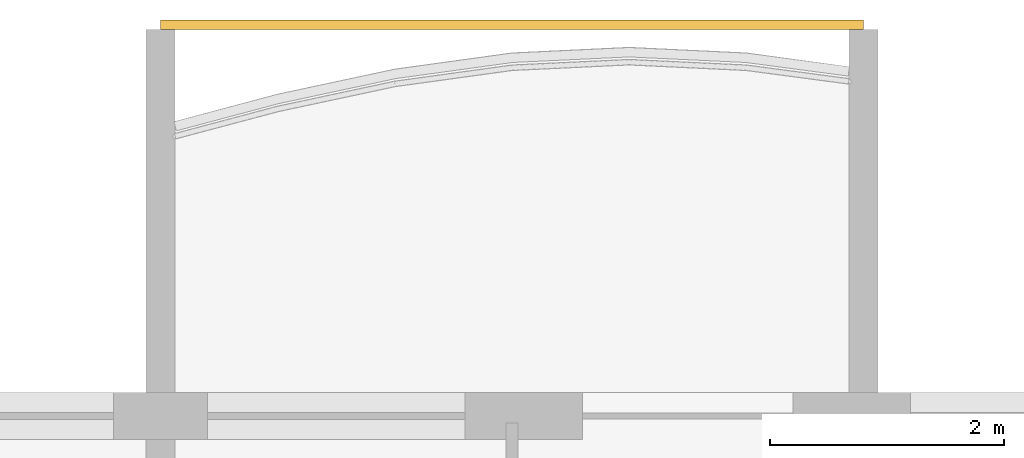
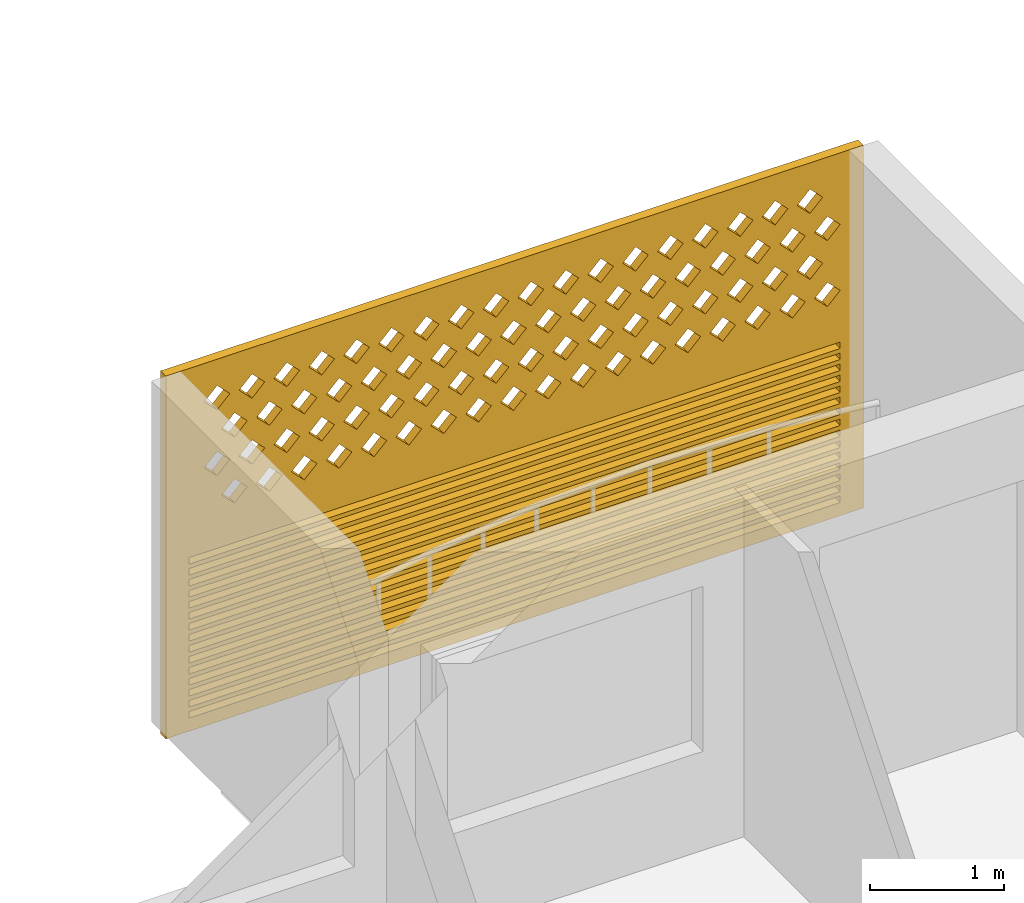
# One storey, part 23 of 27: 1 covering.
"""IFC4 building model written with IfcOpenShell, lengths in metres."""

from ifc_helpers import new_model, si_unit, direction, frame, origin, place, context, subcontext, project, spatial, polyline, outline, extrude, source, transform, mapped, material, material_profile, profile_set, type_object, element, save


model = new_model("IFC4")

# Units and contexts
model_context = context("Model", 3, precision=1e-05, world=origin(), true_north=direction((0.0, 1.0)))
body_context = subcontext(model_context, "Body", "Model", "MODEL_VIEW")
ifc_project = project(units=[si_unit("LENGTHUNIT", "METRE"), si_unit("AREAUNIT", "SQUARE_METRE"), si_unit("VOLUMEUNIT", "CUBIC_METRE"), si_unit("PLANEANGLEUNIT", "RADIAN"), si_unit("MASSUNIT", "GRAM", prefix="KILO")], contexts=[model_context])

# Site, building, storey
site_placement = place(None, origin())
site = spatial("IfcSite", under=ifc_project, at=site_placement, CompositionType="ELEMENT")
building_placement = place(site_placement, origin())
building = spatial("IfcBuilding", under=site, at=building_placement, Name="Poui Terraces", CompositionType="ELEMENT")
storey_placement = place(building_placement, frame((0.0, 0.0, 201.60009765625)))
storey = spatial("IfcBuildingStorey", under=building, at=storey_placement, Name="L56", CompositionType="ELEMENT", Elevation=201.60009765625)

# Covering
ifc_material = material(Name="Terracotta screen", Category="masonry")
ifc_material_profile = material_profile(ifc_material, outline(polyline([(-3.0, -1.64990234375), (3.0, -1.64990234375), (3.0, 1.64990234375), (-3.0, 1.64990234375), (-3.0, -1.64990234375)]), holes=[polyline([(-2.800048828125, 0.39990234375), (-2.68994140625, 0.2900390625), (-2.580078125, 0.39990234375), (-2.68994140625, 0.510009765625), (-2.800048828125, 0.39990234375)]), polyline([(-2.5, 0.39990234375), (-2.389892578125, 0.2900390625), (-2.280029296875, 0.39990234375), (-2.389892578125, 0.510009765625), (-2.5, 0.39990234375)]), polyline([(-2.199951171875, 0.39990234375), (-2.090087890625, 0.2900390625), (-1.97998046875, 0.39990234375), (-2.090087890625, 0.510009765625), (-2.199951171875, 0.39990234375)]), polyline([(-1.89990234375, 0.39990234375), (-1.7900390625, 0.2900390625), (-1.679931640625, 0.39990234375), (-1.7900390625, 0.510009765625), (-1.89990234375, 0.39990234375)]), polyline([(-1.60009765625, 0.39990234375), (-1.489990234375, 0.2900390625), (-1.3798828125, 0.39990234375), (-1.489990234375, 0.510009765625), (-1.60009765625, 0.39990234375)]), polyline([(-1.300048828125, 0.39990234375), (-1.18994140625, 0.2900390625), (-1.080078125, 0.39990234375), (-1.18994140625, 0.510009765625), (-1.300048828125, 0.39990234375)]), polyline([(-1.0, 0.39990234375), (-0.889892578125, 0.2900390625), (-0.780029296875, 0.39990234375), (-0.889892578125, 0.510009765625), (-1.0, 0.39990234375)]), polyline([(-0.699951171875, 0.39990234375), (-0.590087890625, 0.2900390625), (-0.47998046875, 0.39990234375), (-0.590087890625, 0.510009765625), (-0.699951171875, 0.39990234375)]), polyline([(-0.39990234375, 0.39990234375), (-0.2900390625, 0.2900390625), (-0.179931640625, 0.39990234375), (-0.2900390625, 0.510009765625), (-0.39990234375, 0.39990234375)]), polyline([(-0.10009765625, 0.39990234375), (0.010009765625, 0.2900390625), (0.1201171875, 0.39990234375), (0.010009765625, 0.510009765625), (-0.10009765625, 0.39990234375)]), polyline([(0.199951171875, 0.39990234375), (0.31005859375, 0.2900390625), (0.419921875, 0.39990234375), (0.31005859375, 0.510009765625), (0.199951171875, 0.39990234375)]), polyline([(0.5, 0.39990234375), (0.610107421875, 0.2900390625), (0.719970703125, 0.39990234375), (0.610107421875, 0.510009765625), (0.5, 0.39990234375)]), polyline([(0.800048828125, 0.39990234375), (0.909912109375, 0.2900390625), (1.02001953125, 0.39990234375), (0.909912109375, 0.510009765625), (0.800048828125, 0.39990234375)]), polyline([(1.10009765625, 0.39990234375), (1.2099609375, 0.2900390625), (1.320068359375, 0.39990234375), (1.2099609375, 0.510009765625), (1.10009765625, 0.39990234375)]), polyline([(1.39990234375, 0.39990234375), (1.510009765625, 0.2900390625), (1.6201171875, 0.39990234375), (1.510009765625, 0.510009765625), (1.39990234375, 0.39990234375)]), polyline([(1.699951171875, 0.39990234375), (1.81005859375, 0.2900390625), (1.919921875, 0.39990234375), (1.81005859375, 0.510009765625), (1.699951171875, 0.39990234375)]), polyline([(2.0, 0.39990234375), (2.110107421875, 0.2900390625), (2.219970703125, 0.39990234375), (2.110107421875, 0.510009765625), (2.0, 0.39990234375)]), polyline([(2.300048828125, 0.39990234375), (2.409912109375, 0.2900390625), (2.52001953125, 0.39990234375), (2.409912109375, 0.510009765625), (2.300048828125, 0.39990234375)]), polyline([(-2.64990234375, 0.699951171875), (-2.5400390625, 0.590087890625), (-2.429931640625, 0.699951171875), (-2.5400390625, 0.81005859375), (-2.64990234375, 0.699951171875)]), polyline([(-2.35009765625, 0.699951171875), (-2.239990234375, 0.590087890625), (-2.1298828125, 0.699951171875), (-2.239990234375, 0.81005859375), (-2.35009765625, 0.699951171875)]), polyline([(-2.050048828125, 0.699951171875), (-1.93994140625, 0.590087890625), (-1.830078125, 0.699951171875), (-1.93994140625, 0.81005859375), (-2.050048828125, 0.699951171875)]), polyline([(-1.75, 0.699951171875), (-1.639892578125, 0.590087890625), (-1.530029296875, 0.699951171875), (-1.639892578125, 0.81005859375), (-1.75, 0.699951171875)]), polyline([(-1.449951171875, 0.699951171875), (-1.340087890625, 0.590087890625), (-1.22998046875, 0.699951171875), (-1.340087890625, 0.81005859375), (-1.449951171875, 0.699951171875)]), polyline([(-1.14990234375, 0.699951171875), (-1.0400390625, 0.590087890625), (-0.929931640625, 0.699951171875), (-1.0400390625, 0.81005859375), (-1.14990234375, 0.699951171875)]), polyline([(-0.85009765625, 0.699951171875), (-0.739990234375, 0.590087890625), (-0.6298828125, 0.699951171875), (-0.739990234375, 0.81005859375), (-0.85009765625, 0.699951171875)]), polyline([(-0.550048828125, 0.699951171875), (-0.43994140625, 0.590087890625), (-0.330078125, 0.699951171875), (-0.43994140625, 0.81005859375), (-0.550048828125, 0.699951171875)]), polyline([(-0.25, 0.699951171875), (-0.139892578125, 0.590087890625), (-0.030029296875, 0.699951171875), (-0.139892578125, 0.81005859375), (-0.25, 0.699951171875)]), polyline([(0.050048828125, 0.699951171875), (0.159912109375, 0.590087890625), (0.27001953125, 0.699951171875), (0.159912109375, 0.81005859375), (0.050048828125, 0.699951171875)]), polyline([(0.35009765625, 0.699951171875), (0.4599609375, 0.590087890625), (0.570068359375, 0.699951171875), (0.4599609375, 0.81005859375), (0.35009765625, 0.699951171875)]), polyline([(0.64990234375, 0.699951171875), (0.760009765625, 0.590087890625), (0.8701171875, 0.699951171875), (0.760009765625, 0.81005859375), (0.64990234375, 0.699951171875)]), polyline([(0.949951171875, 0.699951171875), (1.06005859375, 0.590087890625), (1.169921875, 0.699951171875), (1.06005859375, 0.81005859375), (0.949951171875, 0.699951171875)]), polyline([(1.25, 0.699951171875), (1.360107421875, 0.590087890625), (1.469970703125, 0.699951171875), (1.360107421875, 0.81005859375), (1.25, 0.699951171875)]), polyline([(1.550048828125, 0.699951171875), (1.659912109375, 0.590087890625), (1.77001953125, 0.699951171875), (1.659912109375, 0.81005859375), (1.550048828125, 0.699951171875)]), polyline([(1.85009765625, 0.699951171875), (1.9599609375, 0.590087890625), (2.070068359375, 0.699951171875), (1.9599609375, 0.81005859375), (1.85009765625, 0.699951171875)]), polyline([(2.14990234375, 0.699951171875), (2.260009765625, 0.590087890625), (2.3701171875, 0.699951171875), (2.260009765625, 0.81005859375), (2.14990234375, 0.699951171875)]), polyline([(2.449951171875, 0.699951171875), (2.56005859375, 0.590087890625), (2.669921875, 0.699951171875), (2.56005859375, 0.81005859375), (2.449951171875, 0.699951171875)]), polyline([(-2.800048828125, 1.0), (-2.68994140625, 0.889892578125), (-2.580078125, 1.0), (-2.68994140625, 1.110107421875), (-2.800048828125, 1.0)]), polyline([(-2.5, 1.0), (-2.389892578125, 0.889892578125), (-2.280029296875, 1.0), (-2.389892578125, 1.110107421875), (-2.5, 1.0)]), polyline([(-2.199951171875, 1.0), (-2.090087890625, 0.889892578125), (-1.97998046875, 1.0), (-2.090087890625, 1.110107421875), (-2.199951171875, 1.0)]), polyline([(-1.89990234375, 1.0), (-1.7900390625, 0.889892578125), (-1.679931640625, 1.0), (-1.7900390625, 1.110107421875), (-1.89990234375, 1.0)]), polyline([(-1.60009765625, 1.0), (-1.489990234375, 0.889892578125), (-1.3798828125, 1.0), (-1.489990234375, 1.110107421875), (-1.60009765625, 1.0)]), polyline([(-1.300048828125, 1.0), (-1.18994140625, 0.889892578125), (-1.080078125, 1.0), (-1.18994140625, 1.110107421875), (-1.300048828125, 1.0)]), polyline([(-1.0, 1.0), (-0.889892578125, 0.889892578125), (-0.780029296875, 1.0), (-0.889892578125, 1.110107421875), (-1.0, 1.0)]), polyline([(-0.699951171875, 1.0), (-0.590087890625, 0.889892578125), (-0.47998046875, 1.0), (-0.590087890625, 1.110107421875), (-0.699951171875, 1.0)]), polyline([(-0.39990234375, 1.0), (-0.2900390625, 0.889892578125), (-0.179931640625, 1.0), (-0.2900390625, 1.110107421875), (-0.39990234375, 1.0)]), polyline([(-0.10009765625, 1.0), (0.010009765625, 0.889892578125), (0.1201171875, 1.0), (0.010009765625, 1.110107421875), (-0.10009765625, 1.0)]), polyline([(0.199951171875, 1.0), (0.31005859375, 0.889892578125), (0.419921875, 1.0), (0.31005859375, 1.110107421875), (0.199951171875, 1.0)]), polyline([(0.5, 1.0), (0.610107421875, 0.889892578125), (0.719970703125, 1.0), (0.610107421875, 1.110107421875), (0.5, 1.0)]), polyline([(0.800048828125, 1.0), (0.909912109375, 0.889892578125), (1.02001953125, 1.0), (0.909912109375, 1.110107421875), (0.800048828125, 1.0)]), polyline([(1.10009765625, 1.0), (1.2099609375, 0.889892578125), (1.320068359375, 1.0), (1.2099609375, 1.110107421875), (1.10009765625, 1.0)]), polyline([(1.39990234375, 1.0), (1.510009765625, 0.889892578125), (1.6201171875, 1.0), (1.510009765625, 1.110107421875), (1.39990234375, 1.0)]), polyline([(1.699951171875, 1.0), (1.81005859375, 0.889892578125), (1.919921875, 1.0), (1.81005859375, 1.110107421875), (1.699951171875, 1.0)]), polyline([(2.0, 1.0), (2.110107421875, 0.889892578125), (2.219970703125, 1.0), (2.110107421875, 1.110107421875), (2.0, 1.0)]), polyline([(2.300048828125, 1.0), (2.409912109375, 0.889892578125), (2.52001953125, 1.0), (2.409912109375, 1.110107421875), (2.300048828125, 1.0)]), polyline([(-2.64990234375, 1.300048828125), (-2.5400390625, 1.18994140625), (-2.429931640625, 1.300048828125), (-2.5400390625, 1.409912109375), (-2.64990234375, 1.300048828125)]), polyline([(-2.35009765625, 1.300048828125), (-2.239990234375, 1.18994140625), (-2.1298828125, 1.300048828125), (-2.239990234375, 1.409912109375), (-2.35009765625, 1.300048828125)]), polyline([(-2.050048828125, 1.300048828125), (-1.93994140625, 1.18994140625), (-1.830078125, 1.300048828125), (-1.93994140625, 1.409912109375), (-2.050048828125, 1.300048828125)]), polyline([(-1.75, 1.300048828125), (-1.639892578125, 1.18994140625), (-1.530029296875, 1.300048828125), (-1.639892578125, 1.409912109375), (-1.75, 1.300048828125)]), polyline([(-1.449951171875, 1.300048828125), (-1.340087890625, 1.18994140625), (-1.22998046875, 1.300048828125), (-1.340087890625, 1.409912109375), (-1.449951171875, 1.300048828125)]), polyline([(-1.14990234375, 1.300048828125), (-1.0400390625, 1.18994140625), (-0.929931640625, 1.300048828125), (-1.0400390625, 1.409912109375), (-1.14990234375, 1.300048828125)]), polyline([(-0.85009765625, 1.300048828125), (-0.739990234375, 1.18994140625), (-0.6298828125, 1.300048828125), (-0.739990234375, 1.409912109375), (-0.85009765625, 1.300048828125)]), polyline([(-0.550048828125, 1.300048828125), (-0.43994140625, 1.18994140625), (-0.330078125, 1.300048828125), (-0.43994140625, 1.409912109375), (-0.550048828125, 1.300048828125)]), polyline([(-0.25, 1.300048828125), (-0.139892578125, 1.18994140625), (-0.030029296875, 1.300048828125), (-0.139892578125, 1.409912109375), (-0.25, 1.300048828125)]), polyline([(0.050048828125, 1.300048828125), (0.159912109375, 1.18994140625), (0.27001953125, 1.300048828125), (0.159912109375, 1.409912109375), (0.050048828125, 1.300048828125)]), polyline([(0.35009765625, 1.300048828125), (0.4599609375, 1.18994140625), (0.570068359375, 1.300048828125), (0.4599609375, 1.409912109375), (0.35009765625, 1.300048828125)]), polyline([(0.64990234375, 1.300048828125), (0.760009765625, 1.18994140625), (0.8701171875, 1.300048828125), (0.760009765625, 1.409912109375), (0.64990234375, 1.300048828125)]), polyline([(0.949951171875, 1.300048828125), (1.06005859375, 1.18994140625), (1.169921875, 1.300048828125), (1.06005859375, 1.409912109375), (0.949951171875, 1.300048828125)]), polyline([(1.25, 1.300048828125), (1.360107421875, 1.18994140625), (1.469970703125, 1.300048828125), (1.360107421875, 1.409912109375), (1.25, 1.300048828125)]), polyline([(1.550048828125, 1.300048828125), (1.659912109375, 1.18994140625), (1.77001953125, 1.300048828125), (1.659912109375, 1.409912109375), (1.550048828125, 1.300048828125)]), polyline([(1.85009765625, 1.300048828125), (1.9599609375, 1.18994140625), (2.070068359375, 1.300048828125), (1.9599609375, 1.409912109375), (1.85009765625, 1.300048828125)]), polyline([(2.14990234375, 1.300048828125), (2.260009765625, 1.18994140625), (2.3701171875, 1.300048828125), (2.260009765625, 1.409912109375), (2.14990234375, 1.300048828125)]), polyline([(2.449951171875, 1.300048828125), (2.56005859375, 1.18994140625), (2.669921875, 1.300048828125), (2.56005859375, 1.409912109375), (2.449951171875, 1.300048828125)]), polyline([(-2.800048828125, -1.530029296875), (2.800048828125, -1.530029296875), (2.800048828125, -1.469970703125), (-2.800048828125, -1.469970703125), (-2.800048828125, -1.530029296875)]), polyline([(-2.800048828125, -1.429931640625), (2.800048828125, -1.429931640625), (2.800048828125, -1.3701171875), (-2.800048828125, -1.3701171875), (-2.800048828125, -1.429931640625)]), polyline([(-2.800048828125, -1.330078125), (2.800048828125, -1.330078125), (2.800048828125, -1.27001953125), (-2.800048828125, -1.27001953125), (-2.800048828125, -1.330078125)]), polyline([(-2.800048828125, -1.22998046875), (2.800048828125, -1.22998046875), (2.800048828125, -1.169921875), (-2.800048828125, -1.169921875), (-2.800048828125, -1.22998046875)]), polyline([(-2.800048828125, -1.1298828125), (2.800048828125, -1.1298828125), (2.800048828125, -1.070068359375), (-2.800048828125, -1.070068359375), (-2.800048828125, -1.1298828125)]), polyline([(-2.800048828125, -1.030029296875), (2.800048828125, -1.030029296875), (2.800048828125, -0.969970703125), (-2.800048828125, -0.969970703125), (-2.800048828125, -1.030029296875)]), polyline([(-2.800048828125, -0.929931640625), (2.800048828125, -0.929931640625), (2.800048828125, -0.8701171875), (-2.800048828125, -0.8701171875), (-2.800048828125, -0.929931640625)]), polyline([(-2.800048828125, -0.830078125), (2.800048828125, -0.830078125), (2.800048828125, -0.77001953125), (-2.800048828125, -0.77001953125), (-2.800048828125, -0.830078125)]), polyline([(-2.800048828125, -0.72998046875), (2.800048828125, -0.72998046875), (2.800048828125, -0.669921875), (-2.800048828125, -0.669921875), (-2.800048828125, -0.72998046875)]), polyline([(-2.800048828125, -0.6298828125), (2.800048828125, -0.6298828125), (2.800048828125, -0.570068359375), (-2.800048828125, -0.570068359375), (-2.800048828125, -0.6298828125)]), polyline([(-2.800048828125, -0.530029296875), (2.800048828125, -0.530029296875), (2.800048828125, -0.469970703125), (-2.800048828125, -0.469970703125), (-2.800048828125, -0.530029296875)]), polyline([(-2.800048828125, -0.429931640625), (2.800048828125, -0.429931640625), (2.800048828125, -0.3701171875), (-2.800048828125, -0.3701171875), (-2.800048828125, -0.429931640625)]), polyline([(-2.800048828125, -0.330078125), (2.800048828125, -0.330078125), (2.800048828125, -0.27001953125), (-2.800048828125, -0.27001953125), (-2.800048828125, -0.330078125)]), polyline([(-2.800048828125, -0.22998046875), (2.800048828125, -0.22998046875), (2.800048828125, -0.169921875), (-2.800048828125, -0.169921875), (-2.800048828125, -0.22998046875)]), polyline([(-2.800048828125, -0.1298828125), (2.800048828125, -0.1298828125), (2.800048828125, -0.070068359375), (-2.800048828125, -0.070068359375), (-2.800048828125, -0.1298828125)])]), Name="TERRACOTTA SCREEN AND JALOUSIE LOUVRE 6000X3300")
ifc_profile_set = profile_set([ifc_material_profile], Name="Terracotta screen")
covering_type = type_object("IfcCoveringType", Name="TERRACOTTA SCREEN AND JALOUSIE LOUVRE 6000X3300", PredefinedType="CLADDING", material=ifc_profile_set)
shared_shape = source(origin(), body_context, "Body", "SweptSolid", [
    extrude(outline(polyline([(-3.0, -1.64990234375), (3.0, -1.64990234375), (3.0, 1.64990234375), (-3.0, 1.64990234375), (-3.0, -1.64990234375)]), holes=[polyline([(-2.800048828125, 0.39990234375), (-2.68994140625, 0.2900390625), (-2.580078125, 0.39990234375), (-2.68994140625, 0.510009765625), (-2.800048828125, 0.39990234375)]), polyline([(-2.5, 0.39990234375), (-2.389892578125, 0.2900390625), (-2.280029296875, 0.39990234375), (-2.389892578125, 0.510009765625), (-2.5, 0.39990234375)]), polyline([(-2.199951171875, 0.39990234375), (-2.090087890625, 0.2900390625), (-1.97998046875, 0.39990234375), (-2.090087890625, 0.510009765625), (-2.199951171875, 0.39990234375)]), polyline([(-1.89990234375, 0.39990234375), (-1.7900390625, 0.2900390625), (-1.679931640625, 0.39990234375), (-1.7900390625, 0.510009765625), (-1.89990234375, 0.39990234375)]), polyline([(-1.60009765625, 0.39990234375), (-1.489990234375, 0.2900390625), (-1.3798828125, 0.39990234375), (-1.489990234375, 0.510009765625), (-1.60009765625, 0.39990234375)]), polyline([(-1.300048828125, 0.39990234375), (-1.18994140625, 0.2900390625), (-1.080078125, 0.39990234375), (-1.18994140625, 0.510009765625), (-1.300048828125, 0.39990234375)]), polyline([(-1.0, 0.39990234375), (-0.889892578125, 0.2900390625), (-0.780029296875, 0.39990234375), (-0.889892578125, 0.510009765625), (-1.0, 0.39990234375)]), polyline([(-0.699951171875, 0.39990234375), (-0.590087890625, 0.2900390625), (-0.47998046875, 0.39990234375), (-0.590087890625, 0.510009765625), (-0.699951171875, 0.39990234375)]), polyline([(-0.39990234375, 0.39990234375), (-0.2900390625, 0.2900390625), (-0.179931640625, 0.39990234375), (-0.2900390625, 0.510009765625), (-0.39990234375, 0.39990234375)]), polyline([(-0.10009765625, 0.39990234375), (0.010009765625, 0.2900390625), (0.1201171875, 0.39990234375), (0.010009765625, 0.510009765625), (-0.10009765625, 0.39990234375)]), polyline([(0.199951171875, 0.39990234375), (0.31005859375, 0.2900390625), (0.419921875, 0.39990234375), (0.31005859375, 0.510009765625), (0.199951171875, 0.39990234375)]), polyline([(0.5, 0.39990234375), (0.610107421875, 0.2900390625), (0.719970703125, 0.39990234375), (0.610107421875, 0.510009765625), (0.5, 0.39990234375)]), polyline([(0.800048828125, 0.39990234375), (0.909912109375, 0.2900390625), (1.02001953125, 0.39990234375), (0.909912109375, 0.510009765625), (0.800048828125, 0.39990234375)]), polyline([(1.10009765625, 0.39990234375), (1.2099609375, 0.2900390625), (1.320068359375, 0.39990234375), (1.2099609375, 0.510009765625), (1.10009765625, 0.39990234375)]), polyline([(1.39990234375, 0.39990234375), (1.510009765625, 0.2900390625), (1.6201171875, 0.39990234375), (1.510009765625, 0.510009765625), (1.39990234375, 0.39990234375)]), polyline([(1.699951171875, 0.39990234375), (1.81005859375, 0.2900390625), (1.919921875, 0.39990234375), (1.81005859375, 0.510009765625), (1.699951171875, 0.39990234375)]), polyline([(2.0, 0.39990234375), (2.110107421875, 0.2900390625), (2.219970703125, 0.39990234375), (2.110107421875, 0.510009765625), (2.0, 0.39990234375)]), polyline([(2.300048828125, 0.39990234375), (2.409912109375, 0.2900390625), (2.52001953125, 0.39990234375), (2.409912109375, 0.510009765625), (2.300048828125, 0.39990234375)]), polyline([(-2.64990234375, 0.699951171875), (-2.5400390625, 0.590087890625), (-2.429931640625, 0.699951171875), (-2.5400390625, 0.81005859375), (-2.64990234375, 0.699951171875)]), polyline([(-2.35009765625, 0.699951171875), (-2.239990234375, 0.590087890625), (-2.1298828125, 0.699951171875), (-2.239990234375, 0.81005859375), (-2.35009765625, 0.699951171875)]), polyline([(-2.050048828125, 0.699951171875), (-1.93994140625, 0.590087890625), (-1.830078125, 0.699951171875), (-1.93994140625, 0.81005859375), (-2.050048828125, 0.699951171875)]), polyline([(-1.75, 0.699951171875), (-1.639892578125, 0.590087890625), (-1.530029296875, 0.699951171875), (-1.639892578125, 0.81005859375), (-1.75, 0.699951171875)]), polyline([(-1.449951171875, 0.699951171875), (-1.340087890625, 0.590087890625), (-1.22998046875, 0.699951171875), (-1.340087890625, 0.81005859375), (-1.449951171875, 0.699951171875)]), polyline([(-1.14990234375, 0.699951171875), (-1.0400390625, 0.590087890625), (-0.929931640625, 0.699951171875), (-1.0400390625, 0.81005859375), (-1.14990234375, 0.699951171875)]), polyline([(-0.85009765625, 0.699951171875), (-0.739990234375, 0.590087890625), (-0.6298828125, 0.699951171875), (-0.739990234375, 0.81005859375), (-0.85009765625, 0.699951171875)]), polyline([(-0.550048828125, 0.699951171875), (-0.43994140625, 0.590087890625), (-0.330078125, 0.699951171875), (-0.43994140625, 0.81005859375), (-0.550048828125, 0.699951171875)]), polyline([(-0.25, 0.699951171875), (-0.139892578125, 0.590087890625), (-0.030029296875, 0.699951171875), (-0.139892578125, 0.81005859375), (-0.25, 0.699951171875)]), polyline([(0.050048828125, 0.699951171875), (0.159912109375, 0.590087890625), (0.27001953125, 0.699951171875), (0.159912109375, 0.81005859375), (0.050048828125, 0.699951171875)]), polyline([(0.35009765625, 0.699951171875), (0.4599609375, 0.590087890625), (0.570068359375, 0.699951171875), (0.4599609375, 0.81005859375), (0.35009765625, 0.699951171875)]), polyline([(0.64990234375, 0.699951171875), (0.760009765625, 0.590087890625), (0.8701171875, 0.699951171875), (0.760009765625, 0.81005859375), (0.64990234375, 0.699951171875)]), polyline([(0.949951171875, 0.699951171875), (1.06005859375, 0.590087890625), (1.169921875, 0.699951171875), (1.06005859375, 0.81005859375), (0.949951171875, 0.699951171875)]), polyline([(1.25, 0.699951171875), (1.360107421875, 0.590087890625), (1.469970703125, 0.699951171875), (1.360107421875, 0.81005859375), (1.25, 0.699951171875)]), polyline([(1.550048828125, 0.699951171875), (1.659912109375, 0.590087890625), (1.77001953125, 0.699951171875), (1.659912109375, 0.81005859375), (1.550048828125, 0.699951171875)]), polyline([(1.85009765625, 0.699951171875), (1.9599609375, 0.590087890625), (2.070068359375, 0.699951171875), (1.9599609375, 0.81005859375), (1.85009765625, 0.699951171875)]), polyline([(2.14990234375, 0.699951171875), (2.260009765625, 0.590087890625), (2.3701171875, 0.699951171875), (2.260009765625, 0.81005859375), (2.14990234375, 0.699951171875)]), polyline([(2.449951171875, 0.699951171875), (2.56005859375, 0.590087890625), (2.669921875, 0.699951171875), (2.56005859375, 0.81005859375), (2.449951171875, 0.699951171875)]), polyline([(-2.800048828125, 1.0), (-2.68994140625, 0.889892578125), (-2.580078125, 1.0), (-2.68994140625, 1.110107421875), (-2.800048828125, 1.0)]), polyline([(-2.5, 1.0), (-2.389892578125, 0.889892578125), (-2.280029296875, 1.0), (-2.389892578125, 1.110107421875), (-2.5, 1.0)]), polyline([(-2.199951171875, 1.0), (-2.090087890625, 0.889892578125), (-1.97998046875, 1.0), (-2.090087890625, 1.110107421875), (-2.199951171875, 1.0)]), polyline([(-1.89990234375, 1.0), (-1.7900390625, 0.889892578125), (-1.679931640625, 1.0), (-1.7900390625, 1.110107421875), (-1.89990234375, 1.0)]), polyline([(-1.60009765625, 1.0), (-1.489990234375, 0.889892578125), (-1.3798828125, 1.0), (-1.489990234375, 1.110107421875), (-1.60009765625, 1.0)]), polyline([(-1.300048828125, 1.0), (-1.18994140625, 0.889892578125), (-1.080078125, 1.0), (-1.18994140625, 1.110107421875), (-1.300048828125, 1.0)]), polyline([(-1.0, 1.0), (-0.889892578125, 0.889892578125), (-0.780029296875, 1.0), (-0.889892578125, 1.110107421875), (-1.0, 1.0)]), polyline([(-0.699951171875, 1.0), (-0.590087890625, 0.889892578125), (-0.47998046875, 1.0), (-0.590087890625, 1.110107421875), (-0.699951171875, 1.0)]), polyline([(-0.39990234375, 1.0), (-0.2900390625, 0.889892578125), (-0.179931640625, 1.0), (-0.2900390625, 1.110107421875), (-0.39990234375, 1.0)]), polyline([(-0.10009765625, 1.0), (0.010009765625, 0.889892578125), (0.1201171875, 1.0), (0.010009765625, 1.110107421875), (-0.10009765625, 1.0)]), polyline([(0.199951171875, 1.0), (0.31005859375, 0.889892578125), (0.419921875, 1.0), (0.31005859375, 1.110107421875), (0.199951171875, 1.0)]), polyline([(0.5, 1.0), (0.610107421875, 0.889892578125), (0.719970703125, 1.0), (0.610107421875, 1.110107421875), (0.5, 1.0)]), polyline([(0.800048828125, 1.0), (0.909912109375, 0.889892578125), (1.02001953125, 1.0), (0.909912109375, 1.110107421875), (0.800048828125, 1.0)]), polyline([(1.10009765625, 1.0), (1.2099609375, 0.889892578125), (1.320068359375, 1.0), (1.2099609375, 1.110107421875), (1.10009765625, 1.0)]), polyline([(1.39990234375, 1.0), (1.510009765625, 0.889892578125), (1.6201171875, 1.0), (1.510009765625, 1.110107421875), (1.39990234375, 1.0)]), polyline([(1.699951171875, 1.0), (1.81005859375, 0.889892578125), (1.919921875, 1.0), (1.81005859375, 1.110107421875), (1.699951171875, 1.0)]), polyline([(2.0, 1.0), (2.110107421875, 0.889892578125), (2.219970703125, 1.0), (2.110107421875, 1.110107421875), (2.0, 1.0)]), polyline([(2.300048828125, 1.0), (2.409912109375, 0.889892578125), (2.52001953125, 1.0), (2.409912109375, 1.110107421875), (2.300048828125, 1.0)]), polyline([(-2.64990234375, 1.300048828125), (-2.5400390625, 1.18994140625), (-2.429931640625, 1.300048828125), (-2.5400390625, 1.409912109375), (-2.64990234375, 1.300048828125)]), polyline([(-2.35009765625, 1.300048828125), (-2.239990234375, 1.18994140625), (-2.1298828125, 1.300048828125), (-2.239990234375, 1.409912109375), (-2.35009765625, 1.300048828125)]), polyline([(-2.050048828125, 1.300048828125), (-1.93994140625, 1.18994140625), (-1.830078125, 1.300048828125), (-1.93994140625, 1.409912109375), (-2.050048828125, 1.300048828125)]), polyline([(-1.75, 1.300048828125), (-1.639892578125, 1.18994140625), (-1.530029296875, 1.300048828125), (-1.639892578125, 1.409912109375), (-1.75, 1.300048828125)]), polyline([(-1.449951171875, 1.300048828125), (-1.340087890625, 1.18994140625), (-1.22998046875, 1.300048828125), (-1.340087890625, 1.409912109375), (-1.449951171875, 1.300048828125)]), polyline([(-1.14990234375, 1.300048828125), (-1.0400390625, 1.18994140625), (-0.929931640625, 1.300048828125), (-1.0400390625, 1.409912109375), (-1.14990234375, 1.300048828125)]), polyline([(-0.85009765625, 1.300048828125), (-0.739990234375, 1.18994140625), (-0.6298828125, 1.300048828125), (-0.739990234375, 1.409912109375), (-0.85009765625, 1.300048828125)]), polyline([(-0.550048828125, 1.300048828125), (-0.43994140625, 1.18994140625), (-0.330078125, 1.300048828125), (-0.43994140625, 1.409912109375), (-0.550048828125, 1.300048828125)]), polyline([(-0.25, 1.300048828125), (-0.139892578125, 1.18994140625), (-0.030029296875, 1.300048828125), (-0.139892578125, 1.409912109375), (-0.25, 1.300048828125)]), polyline([(0.050048828125, 1.300048828125), (0.159912109375, 1.18994140625), (0.27001953125, 1.300048828125), (0.159912109375, 1.409912109375), (0.050048828125, 1.300048828125)]), polyline([(0.35009765625, 1.300048828125), (0.4599609375, 1.18994140625), (0.570068359375, 1.300048828125), (0.4599609375, 1.409912109375), (0.35009765625, 1.300048828125)]), polyline([(0.64990234375, 1.300048828125), (0.760009765625, 1.18994140625), (0.8701171875, 1.300048828125), (0.760009765625, 1.409912109375), (0.64990234375, 1.300048828125)]), polyline([(0.949951171875, 1.300048828125), (1.06005859375, 1.18994140625), (1.169921875, 1.300048828125), (1.06005859375, 1.409912109375), (0.949951171875, 1.300048828125)]), polyline([(1.25, 1.300048828125), (1.360107421875, 1.18994140625), (1.469970703125, 1.300048828125), (1.360107421875, 1.409912109375), (1.25, 1.300048828125)]), polyline([(1.550048828125, 1.300048828125), (1.659912109375, 1.18994140625), (1.77001953125, 1.300048828125), (1.659912109375, 1.409912109375), (1.550048828125, 1.300048828125)]), polyline([(1.85009765625, 1.300048828125), (1.9599609375, 1.18994140625), (2.070068359375, 1.300048828125), (1.9599609375, 1.409912109375), (1.85009765625, 1.300048828125)]), polyline([(2.14990234375, 1.300048828125), (2.260009765625, 1.18994140625), (2.3701171875, 1.300048828125), (2.260009765625, 1.409912109375), (2.14990234375, 1.300048828125)]), polyline([(2.449951171875, 1.300048828125), (2.56005859375, 1.18994140625), (2.669921875, 1.300048828125), (2.56005859375, 1.409912109375), (2.449951171875, 1.300048828125)]), polyline([(-2.800048828125, -1.530029296875), (2.800048828125, -1.530029296875), (2.800048828125, -1.469970703125), (-2.800048828125, -1.469970703125), (-2.800048828125, -1.530029296875)]), polyline([(-2.800048828125, -1.429931640625), (2.800048828125, -1.429931640625), (2.800048828125, -1.3701171875), (-2.800048828125, -1.3701171875), (-2.800048828125, -1.429931640625)]), polyline([(-2.800048828125, -1.330078125), (2.800048828125, -1.330078125), (2.800048828125, -1.27001953125), (-2.800048828125, -1.27001953125), (-2.800048828125, -1.330078125)]), polyline([(-2.800048828125, -1.22998046875), (2.800048828125, -1.22998046875), (2.800048828125, -1.169921875), (-2.800048828125, -1.169921875), (-2.800048828125, -1.22998046875)]), polyline([(-2.800048828125, -1.1298828125), (2.800048828125, -1.1298828125), (2.800048828125, -1.070068359375), (-2.800048828125, -1.070068359375), (-2.800048828125, -1.1298828125)]), polyline([(-2.800048828125, -1.030029296875), (2.800048828125, -1.030029296875), (2.800048828125, -0.969970703125), (-2.800048828125, -0.969970703125), (-2.800048828125, -1.030029296875)]), polyline([(-2.800048828125, -0.929931640625), (2.800048828125, -0.929931640625), (2.800048828125, -0.8701171875), (-2.800048828125, -0.8701171875), (-2.800048828125, -0.929931640625)]), polyline([(-2.800048828125, -0.830078125), (2.800048828125, -0.830078125), (2.800048828125, -0.77001953125), (-2.800048828125, -0.77001953125), (-2.800048828125, -0.830078125)]), polyline([(-2.800048828125, -0.72998046875), (2.800048828125, -0.72998046875), (2.800048828125, -0.669921875), (-2.800048828125, -0.669921875), (-2.800048828125, -0.72998046875)]), polyline([(-2.800048828125, -0.6298828125), (2.800048828125, -0.6298828125), (2.800048828125, -0.570068359375), (-2.800048828125, -0.570068359375), (-2.800048828125, -0.6298828125)]), polyline([(-2.800048828125, -0.530029296875), (2.800048828125, -0.530029296875), (2.800048828125, -0.469970703125), (-2.800048828125, -0.469970703125), (-2.800048828125, -0.530029296875)]), polyline([(-2.800048828125, -0.429931640625), (2.800048828125, -0.429931640625), (2.800048828125, -0.3701171875), (-2.800048828125, -0.3701171875), (-2.800048828125, -0.429931640625)]), polyline([(-2.800048828125, -0.330078125), (2.800048828125, -0.330078125), (2.800048828125, -0.27001953125), (-2.800048828125, -0.27001953125), (-2.800048828125, -0.330078125)]), polyline([(-2.800048828125, -0.22998046875), (2.800048828125, -0.22998046875), (2.800048828125, -0.169921875), (-2.800048828125, -0.169921875), (-2.800048828125, -0.22998046875)]), polyline([(-2.800048828125, -0.1298828125), (2.800048828125, -0.1298828125), (2.800048828125, -0.070068359375), (-2.800048828125, -0.070068359375), (-2.800048828125, -0.1298828125)])]), origin(), (0.0, 0.0, 1.0), 0.080078125),
])
covering_placement = place(storey_placement, frame((51.0, 44.5, 1.449951171875), z_axis=(0.0, 1.0, 0.0), x_axis=(-1.0, 0.0, 0.0)))
element("IfcCovering", 1, at=covering_placement, inside=storey, type_object=covering_type, Name="SOLAR SCREEN AND JALOUSIE LOUVRE", PredefinedType="CLADDING", context=body_context, shape_type="MappedRepresentation", body=[
    mapped(shared_shape, transform((0.0, 0.0, 0.0))),
])

save(model, "model.ifc")
